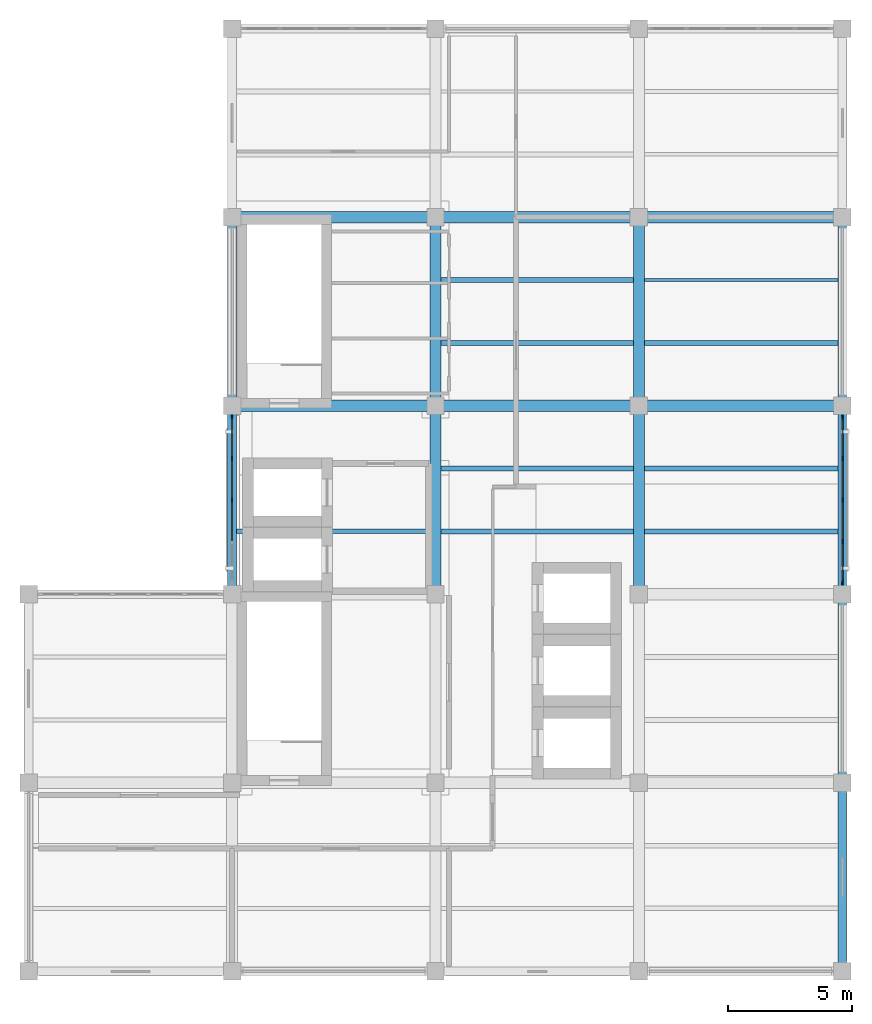
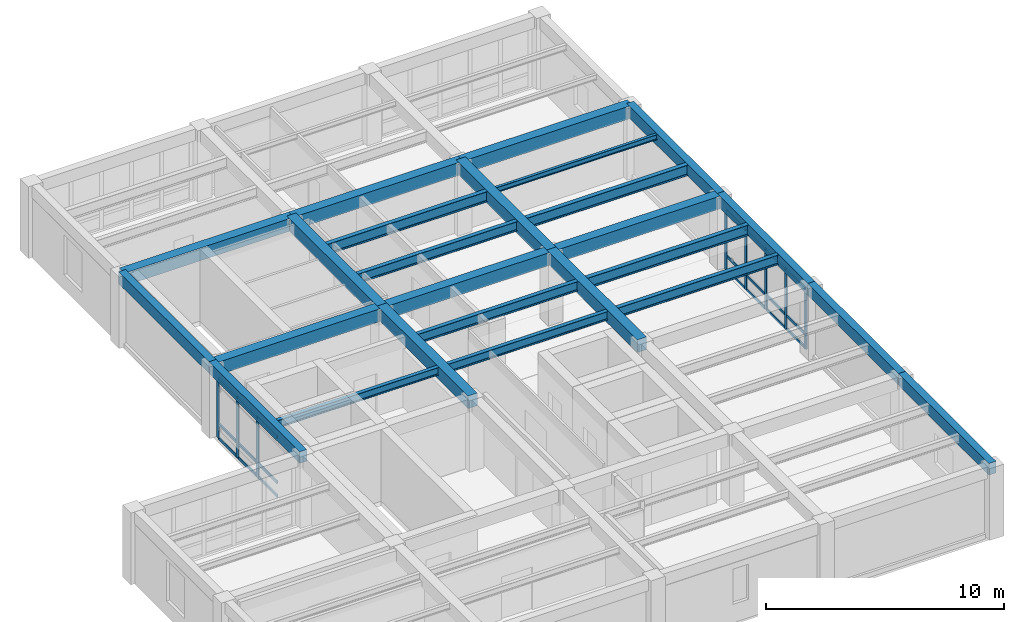
# One storey, part 3 of 8: 29 members, 25 beams, 2 elements without a shape of their own.
"""IFC4 building model written with IfcOpenShell, lengths in metres."""

from ifc_helpers import new_model, si_unit, direction, frame, origin, origin_2d, place, context, subcontext, project, spatial, rectangle, i_section, extrude, material, material_profile, profile_set, type_object, element, aggregate, save


model = new_model("IFC4")

# Units and contexts
model_context = context("Model", 3, precision=1e-05, world=origin(), true_north=direction((0.0, 1.0)))
body_context = subcontext(model_context, "Body", "Model", "MODEL_VIEW")
ifc_project = project(units=[si_unit("LENGTHUNIT", "METRE"), si_unit("AREAUNIT", "SQUARE_METRE"), si_unit("VOLUMEUNIT", "CUBIC_METRE"), si_unit("PLANEANGLEUNIT", "RADIAN"), si_unit("MASSUNIT", "GRAM", prefix="KILO")], contexts=[model_context])

# Site, building, storey
site_placement = place(None, origin())
site = spatial("IfcSite", under=ifc_project, at=site_placement, CompositionType="ELEMENT")
building_placement = place(site_placement, origin())
building = spatial("IfcBuilding", under=site, at=building_placement, Name="Qandaris Square Conservatory and Botanical Centre", CompositionType="ELEMENT")
storey_placement = place(building_placement, frame((0.0, 0.0, 70.199951171875)))
storey = spatial("IfcBuildingStorey", under=building, at=storey_placement, Name="L16", CompositionType="ELEMENT", Elevation=70.199951171875)

# Beams
ifc_material_1 = material(Name="Steel S355", Category="steel")
ifc_material_profile_1 = material_profile(ifc_material_1, i_section(OverallWidth=0.18994140625, OverallDepth=0.449951171875, WebThickness=0.009521484375, FlangeThickness=0.0146484375, FilletRadius=0.02099609375, at=origin_2d()), Name="IPE 450")
ifc_profile_set_1 = profile_set([ifc_material_profile_1], Name="Steel S355")
beam_type_1 = type_object("IfcBeamType", Name="Composite Archive Joist IPE 450", PredefinedType="JOIST", material=ifc_profile_set_1)
beam_1_placement = place(storey_placement, frame((147.625, 34.333251953125, 3.43505859375), z_axis=(1.0, 0.0, 0.0), x_axis=(0.0, 1.0, 0.0)))
element("IfcBeam", 1, at=beam_1_placement, inside=storey, type_object=beam_type_1, Name="L16 Composite Joist 3026", PredefinedType="JOIST", context=body_context, shape_type="SweptSolid", body=[
    extrude(i_section(OverallWidth=0.18994140625, OverallDepth=0.449951171875, WebThickness=0.009521484375, FlangeThickness=0.0146484375, FilletRadius=0.02099609375, at=origin_2d()), origin(), (0.0, 0.0, 1.0), 7.75),
])
ifc_material_profile_2 = material_profile(ifc_material_1, i_section(OverallWidth=0.199951171875, OverallDepth=0.5, WebThickness=0.01025390625, FlangeThickness=0.01611328125, FilletRadius=0.02099609375, at=origin_2d()), Name="IPE 500")
ifc_profile_set_2 = profile_set([ifc_material_profile_2], Name="Steel S355")
beam_type_2 = type_object("IfcBeamType", Name="Composite Gallery Joist IPE 500", PredefinedType="JOIST", material=ifc_profile_set_2)
for number, where, z_axis, x_axis, name in (
    (2, (147.625, 36.86669921875, 3.41015625), (1.0, 0.0, 0.0), (0.0, 1.0, 0.0), "L16 Composite Joist 3027"),
    (3, (147.625, 41.933349609375, 3.41015625), (1.0, 0.0, 0.0), (0.0, 1.0, 0.0), "L16 Composite Joist 3028"),
):
    element("IfcBeam", number, at=place(storey_placement, frame(where, z_axis=z_axis, x_axis=x_axis)), inside=storey, type_object=beam_type_2, Name=name, PredefinedType="JOIST", context=body_context, shape_type="SweptSolid", body=[
        extrude(i_section(OverallWidth=0.199951171875, OverallDepth=0.5, WebThickness=0.01025390625, FlangeThickness=0.01611328125, FilletRadius=0.02099609375, at=origin_2d()), origin(), (0.0, 0.0, 1.0), 7.75),
    ])
beam_2_placement = place(storey_placement, frame((155.824951171875, 34.333251953125, 3.41015625), z_axis=(1.0, 0.0, 0.0), x_axis=(0.0, 1.0, 0.0)))
element("IfcBeam", 4, at=beam_2_placement, inside=storey, type_object=beam_type_2, Name="L16 Composite Joist 3036", PredefinedType="JOIST", context=body_context, shape_type="SweptSolid", body=[
    extrude(i_section(OverallWidth=0.199951171875, OverallDepth=0.5, WebThickness=0.01025390625, FlangeThickness=0.01611328125, FilletRadius=0.02099609375, at=origin_2d()), origin(), (0.0, 0.0, 1.0), 7.800048828125),
])
ifc_material_profile_3 = material_profile(ifc_material_1, i_section(OverallWidth=0.179931640625, OverallDepth=0.39990234375, WebThickness=0.008544921875, FlangeThickness=0.013427734375, FilletRadius=0.02099609375, at=origin_2d()), Name="IPE 400")
ifc_profile_set_3 = profile_set([ifc_material_profile_3], Name="Steel S355")
beam_type_3 = type_object("IfcBeamType", Name="Composite Plinth Joist IPE 400", PredefinedType="JOIST", material=ifc_profile_set_3)
beam_3_placement = place(storey_placement, frame((139.375, 34.333251953125, 3.4599609375), z_axis=(1.0, 0.0, 0.0), x_axis=(0.0, 1.0, 0.0)))
element("IfcBeam", 5, at=beam_3_placement, inside=storey, type_object=beam_type_3, Name="L16 Composite Joist 3021", PredefinedType="JOIST", context=body_context, shape_type="SweptSolid", body=[
    extrude(i_section(OverallWidth=0.179931640625, OverallDepth=0.39990234375, WebThickness=0.008544921875, FlangeThickness=0.013427734375, FilletRadius=0.02099609375, at=origin_2d()), origin(), (0.0, 0.0, 1.0), 7.800048828125),
])

# Curtain wall, members
ifc_material_2 = material(Name="Anodised Aluminium", Category="aluminium")
curtain_wall_type = type_object("IfcCurtainWallType", Name="Unitised Curtain Wall CW-4-670x307", PredefinedType="USERDEFINED", material=ifc_material_2)
curtain_wall_1_placement = place(storey_placement, origin())
curtain_wall_1 = element("IfcCurtainWall", 6, at=curtain_wall_1_placement, inside=storey, type_object=curtain_wall_type, Name="Curtain Wall CW-TWR-L16-2-3", ObjectType="GLAZED CURTAIN WALL", PredefinedType="USERDEFINED")
ifc_material_profile_4 = material_profile(ifc_material_2, rectangle(XDim=0.06494140625, YDim=0.179931640625, at=origin_2d()), Name="ALU-MUL 65x180")
ifc_profile_set_4 = profile_set([ifc_material_profile_4], Name="Anodised Aluminium")
member_type_1 = type_object("IfcMemberType", Name="Curtain Wall Mullion 65x180", PredefinedType="MULLION", material=ifc_profile_set_4)
member_1_placement = place(storey_placement, frame((163.800048828125, 32.282470703125, 0.0), z_axis=(0.0, 0.0, 1.0), x_axis=(-1.0, 0.0, 0.0)))
member_1 = element("IfcMember", 7, at=member_1_placement, type_object=member_type_1, Name="CW-4-670x307 mullion 1", PredefinedType="MULLION", context=body_context, shape_type="SweptSolid", body=[
    extrude(rectangle(XDim=0.06494140625, YDim=0.179931640625, at=origin_2d()), origin(), (0.0, 0.0, 1.0), 3.070068359375),
])
member_2_placement = place(storey_placement, frame((163.800048828125, 33.925048828125, 0.0), z_axis=(0.0, 0.0, 1.0), x_axis=(-1.0, 0.0, 0.0)))
member_2 = element("IfcMember", 8, at=member_2_placement, type_object=member_type_1, Name="CW-4-670x307 mullion 2", PredefinedType="MULLION", context=body_context, shape_type="SweptSolid", body=[
    extrude(rectangle(XDim=0.06494140625, YDim=0.179931640625, at=origin_2d()), origin(), (0.0, 0.0, 1.0), 3.070068359375),
])
member_3_placement = place(storey_placement, frame((163.800048828125, 35.60009765625, 0.0), z_axis=(0.0, 0.0, 1.0), x_axis=(-1.0, 0.0, 0.0)))
member_3 = element("IfcMember", 9, at=member_3_placement, type_object=member_type_1, Name="CW-4-670x307 mullion 3", PredefinedType="MULLION", context=body_context, shape_type="SweptSolid", body=[
    extrude(rectangle(XDim=0.06494140625, YDim=0.179931640625, at=origin_2d()), origin(), (0.0, 0.0, 1.0), 3.070068359375),
])
member_4_placement = place(storey_placement, frame((163.800048828125, 37.27490234375, 0.0), z_axis=(0.0, 0.0, 1.0), x_axis=(-1.0, 0.0, 0.0)))
member_4 = element("IfcMember", 10, at=member_4_placement, type_object=member_type_1, Name="CW-4-670x307 mullion 4", PredefinedType="MULLION", context=body_context, shape_type="SweptSolid", body=[
    extrude(rectangle(XDim=0.06494140625, YDim=0.179931640625, at=origin_2d()), origin(), (0.0, 0.0, 1.0), 3.070068359375),
])
member_5_placement = place(storey_placement, frame((163.800048828125, 38.91748046875, 0.0), z_axis=(0.0, 0.0, 1.0), x_axis=(-1.0, 0.0, 0.0)))
member_5 = element("IfcMember", 11, at=member_5_placement, type_object=member_type_1, Name="CW-4-670x307 mullion 5", PredefinedType="MULLION", context=body_context, shape_type="SweptSolid", body=[
    extrude(rectangle(XDim=0.06494140625, YDim=0.179931640625, at=origin_2d()), origin(), (0.0, 0.0, 1.0), 3.070068359375),
])

curtain_wall_2_placement = place(storey_placement, origin())
curtain_wall_2 = element("IfcCurtainWall", 12, at=curtain_wall_2_placement, inside=storey, type_object=curtain_wall_type, Name="Curtain Wall CW-TWR-L16-4-3", ObjectType="GLAZED CURTAIN WALL", PredefinedType="USERDEFINED")
member_6_placement = place(storey_placement, frame((139.199951171875, 38.91748046875, 0.0), z_axis=(0.0, 0.0, 1.0), x_axis=(1.0, 0.0, 0.0)))
member_6 = element("IfcMember", 13, at=member_6_placement, type_object=member_type_1, Name="CW-4-670x307 mullion 1", PredefinedType="MULLION", context=body_context, shape_type="SweptSolid", body=[
    extrude(rectangle(XDim=0.06494140625, YDim=0.179931640625, at=origin_2d()), origin(), (0.0, 0.0, 1.0), 3.070068359375),
])
member_7_placement = place(storey_placement, frame((139.199951171875, 37.27490234375, 0.0), z_axis=(0.0, 0.0, 1.0), x_axis=(1.0, 0.0, 0.0)))
member_7 = element("IfcMember", 14, at=member_7_placement, type_object=member_type_1, Name="CW-4-670x307 mullion 2", PredefinedType="MULLION", context=body_context, shape_type="SweptSolid", body=[
    extrude(rectangle(XDim=0.06494140625, YDim=0.179931640625, at=origin_2d()), origin(), (0.0, 0.0, 1.0), 3.070068359375),
])
member_8_placement = place(storey_placement, frame((139.199951171875, 35.60009765625, 0.0), z_axis=(0.0, 0.0, 1.0), x_axis=(1.0, 0.0, 0.0)))
member_8 = element("IfcMember", 15, at=member_8_placement, type_object=member_type_1, Name="CW-4-670x307 mullion 3", PredefinedType="MULLION", context=body_context, shape_type="SweptSolid", body=[
    extrude(rectangle(XDim=0.06494140625, YDim=0.179931640625, at=origin_2d()), origin(), (0.0, 0.0, 1.0), 3.070068359375),
])

# Member
ifc_material_profile_5 = material_profile(ifc_material_2, rectangle(XDim=0.06494140625, YDim=0.139892578125, at=origin_2d()), Name="ALU-TRN 65x140")
ifc_profile_set_5 = profile_set([ifc_material_profile_5], Name="Anodised Aluminium")
member_type_2 = type_object("IfcMemberType", Name="Curtain Wall Transom 65x140", PredefinedType="USERDEFINED", material=ifc_profile_set_5)
member_9_placement = place(storey_placement, frame((163.800048828125, 32.31494140625, 0.032470703125), z_axis=(0.0, 1.0, 0.0), x_axis=(-1.0, 0.0, 0.0)))
member_9 = element("IfcMember", 16, at=member_9_placement, type_object=member_type_2, Name="CW-4-670x307 transom 1.1", ObjectType="TRANSOM", PredefinedType="USERDEFINED", context=body_context, shape_type="SweptSolid", body=[
    extrude(rectangle(XDim=0.06494140625, YDim=0.139892578125, at=origin_2d()), origin(), (0.0, 0.0, 1.0), 1.57763671875),
])

member_10_placement = place(storey_placement, frame((163.800048828125, 32.31494140625, 0.73681640625), z_axis=(0.0, 1.0, 0.0), x_axis=(-1.0, 0.0, 0.0)))
member_10 = element("IfcMember", 17, at=member_10_placement, type_object=member_type_2, Name="CW-4-670x307 transom 1.2", ObjectType="TRANSOM", PredefinedType="USERDEFINED", context=body_context, shape_type="SweptSolid", body=[
    extrude(rectangle(XDim=0.06494140625, YDim=0.139892578125, at=origin_2d()), origin(), (0.0, 0.0, 1.0), 1.57763671875),
])

member_11_placement = place(storey_placement, frame((163.800048828125, 32.31494140625, 3.03759765625), z_axis=(0.0, 1.0, 0.0), x_axis=(-1.0, 0.0, 0.0)))
member_11 = element("IfcMember", 18, at=member_11_placement, type_object=member_type_2, Name="CW-4-670x307 transom 1.3", ObjectType="TRANSOM", PredefinedType="USERDEFINED", context=body_context, shape_type="SweptSolid", body=[
    extrude(rectangle(XDim=0.06494140625, YDim=0.139892578125, at=origin_2d()), origin(), (0.0, 0.0, 1.0), 1.57763671875),
])

member_12_placement = place(storey_placement, frame((163.800048828125, 33.95751953125, 0.032470703125), z_axis=(0.0, 1.0, 0.0), x_axis=(-1.0, 0.0, 0.0)))
member_12 = element("IfcMember", 19, at=member_12_placement, type_object=member_type_2, Name="CW-4-670x307 transom 2.1", ObjectType="TRANSOM", PredefinedType="USERDEFINED", context=body_context, shape_type="SweptSolid", body=[
    extrude(rectangle(XDim=0.06494140625, YDim=0.139892578125, at=origin_2d()), origin(), (0.0, 0.0, 1.0), 1.60986328125),
])

member_13_placement = place(storey_placement, frame((163.800048828125, 33.95751953125, 0.73681640625), z_axis=(0.0, 1.0, 0.0), x_axis=(-1.0, 0.0, 0.0)))
member_13 = element("IfcMember", 20, at=member_13_placement, type_object=member_type_2, Name="CW-4-670x307 transom 2.2", ObjectType="TRANSOM", PredefinedType="USERDEFINED", context=body_context, shape_type="SweptSolid", body=[
    extrude(rectangle(XDim=0.06494140625, YDim=0.139892578125, at=origin_2d()), origin(), (0.0, 0.0, 1.0), 1.60986328125),
])

member_14_placement = place(storey_placement, frame((163.800048828125, 33.95751953125, 3.03759765625), z_axis=(0.0, 1.0, 0.0), x_axis=(-1.0, 0.0, 0.0)))
member_14 = element("IfcMember", 21, at=member_14_placement, type_object=member_type_2, Name="CW-4-670x307 transom 2.3", ObjectType="TRANSOM", PredefinedType="USERDEFINED", context=body_context, shape_type="SweptSolid", body=[
    extrude(rectangle(XDim=0.06494140625, YDim=0.139892578125, at=origin_2d()), origin(), (0.0, 0.0, 1.0), 1.60986328125),
])

member_15_placement = place(storey_placement, frame((163.800048828125, 35.632568359375, 0.032470703125), z_axis=(0.0, 1.0, 0.0), x_axis=(-1.0, 0.0, 0.0)))
member_15 = element("IfcMember", 22, at=member_15_placement, type_object=member_type_2, Name="CW-4-670x307 transom 3.1", ObjectType="TRANSOM", PredefinedType="USERDEFINED", context=body_context, shape_type="SweptSolid", body=[
    extrude(rectangle(XDim=0.06494140625, YDim=0.139892578125, at=origin_2d()), origin(), (0.0, 0.0, 1.0), 1.60986328125),
])

member_16_placement = place(storey_placement, frame((163.800048828125, 35.632568359375, 0.73681640625), z_axis=(0.0, 1.0, 0.0), x_axis=(-1.0, 0.0, 0.0)))
member_16 = element("IfcMember", 23, at=member_16_placement, type_object=member_type_2, Name="CW-4-670x307 transom 3.2", ObjectType="TRANSOM", PredefinedType="USERDEFINED", context=body_context, shape_type="SweptSolid", body=[
    extrude(rectangle(XDim=0.06494140625, YDim=0.139892578125, at=origin_2d()), origin(), (0.0, 0.0, 1.0), 1.60986328125),
])

member_17_placement = place(storey_placement, frame((163.800048828125, 35.632568359375, 3.03759765625), z_axis=(0.0, 1.0, 0.0), x_axis=(-1.0, 0.0, 0.0)))
member_17 = element("IfcMember", 24, at=member_17_placement, type_object=member_type_2, Name="CW-4-670x307 transom 3.3", ObjectType="TRANSOM", PredefinedType="USERDEFINED", context=body_context, shape_type="SweptSolid", body=[
    extrude(rectangle(XDim=0.06494140625, YDim=0.139892578125, at=origin_2d()), origin(), (0.0, 0.0, 1.0), 1.60986328125),
])

member_18_placement = place(storey_placement, frame((163.800048828125, 37.3076171875, 0.032470703125), z_axis=(0.0, 1.0, 0.0), x_axis=(-1.0, 0.0, 0.0)))
member_18 = element("IfcMember", 25, at=member_18_placement, type_object=member_type_2, Name="CW-4-670x307 transom 4.1", ObjectType="TRANSOM", PredefinedType="USERDEFINED", context=body_context, shape_type="SweptSolid", body=[
    extrude(rectangle(XDim=0.06494140625, YDim=0.139892578125, at=origin_2d()), origin(), (0.0, 0.0, 1.0), 1.577392578125),
])

member_19_placement = place(storey_placement, frame((163.800048828125, 37.3076171875, 0.73681640625), z_axis=(0.0, 1.0, 0.0), x_axis=(-1.0, 0.0, 0.0)))
member_19 = element("IfcMember", 26, at=member_19_placement, type_object=member_type_2, Name="CW-4-670x307 transom 4.2", ObjectType="TRANSOM", PredefinedType="USERDEFINED", context=body_context, shape_type="SweptSolid", body=[
    extrude(rectangle(XDim=0.06494140625, YDim=0.139892578125, at=origin_2d()), origin(), (0.0, 0.0, 1.0), 1.577392578125),
])

member_20_placement = place(storey_placement, frame((163.800048828125, 37.3076171875, 3.03759765625), z_axis=(0.0, 1.0, 0.0), x_axis=(-1.0, 0.0, 0.0)))
member_20 = element("IfcMember", 27, at=member_20_placement, type_object=member_type_2, Name="CW-4-670x307 transom 4.3", ObjectType="TRANSOM", PredefinedType="USERDEFINED", context=body_context, shape_type="SweptSolid", body=[
    extrude(rectangle(XDim=0.06494140625, YDim=0.139892578125, at=origin_2d()), origin(), (0.0, 0.0, 1.0), 1.577392578125),
])

aggregate(curtain_wall_1, [member_1, member_2, member_3, member_4, member_5, member_9, member_10, member_11, member_12, member_13, member_14, member_15, member_16, member_17, member_18, member_19, member_20])

member_21_placement = place(storey_placement, frame((139.199951171875, 38.885009765625, 0.032470703125), z_axis=(0.0, -1.0, 0.0), x_axis=(1.0, 0.0, 0.0)))
member_21 = element("IfcMember", 28, at=member_21_placement, type_object=member_type_2, Name="CW-4-670x307 transom 1.1", ObjectType="TRANSOM", PredefinedType="USERDEFINED", context=body_context, shape_type="SweptSolid", body=[
    extrude(rectangle(XDim=0.06494140625, YDim=0.139892578125, at=origin_2d()), origin(), (0.0, 0.0, 1.0), 1.577392578125),
])

member_22_placement = place(storey_placement, frame((139.199951171875, 38.885009765625, 0.73681640625), z_axis=(0.0, -1.0, 0.0), x_axis=(1.0, 0.0, 0.0)))
member_22 = element("IfcMember", 29, at=member_22_placement, type_object=member_type_2, Name="CW-4-670x307 transom 1.2", ObjectType="TRANSOM", PredefinedType="USERDEFINED", context=body_context, shape_type="SweptSolid", body=[
    extrude(rectangle(XDim=0.06494140625, YDim=0.139892578125, at=origin_2d()), origin(), (0.0, 0.0, 1.0), 1.577392578125),
])

member_23_placement = place(storey_placement, frame((139.199951171875, 38.885009765625, 3.03759765625), z_axis=(0.0, -1.0, 0.0), x_axis=(1.0, 0.0, 0.0)))
member_23 = element("IfcMember", 30, at=member_23_placement, type_object=member_type_2, Name="CW-4-670x307 transom 1.3", ObjectType="TRANSOM", PredefinedType="USERDEFINED", context=body_context, shape_type="SweptSolid", body=[
    extrude(rectangle(XDim=0.06494140625, YDim=0.139892578125, at=origin_2d()), origin(), (0.0, 0.0, 1.0), 1.577392578125),
])

member_24_placement = place(storey_placement, frame((139.199951171875, 37.242431640625, 0.032470703125), z_axis=(0.0, -1.0, 0.0), x_axis=(1.0, 0.0, 0.0)))
member_24 = element("IfcMember", 31, at=member_24_placement, type_object=member_type_2, Name="CW-4-670x307 transom 2.1", ObjectType="TRANSOM", PredefinedType="USERDEFINED", context=body_context, shape_type="SweptSolid", body=[
    extrude(rectangle(XDim=0.06494140625, YDim=0.139892578125, at=origin_2d()), origin(), (0.0, 0.0, 1.0), 1.60986328125),
])

member_25_placement = place(storey_placement, frame((139.199951171875, 37.242431640625, 0.73681640625), z_axis=(0.0, -1.0, 0.0), x_axis=(1.0, 0.0, 0.0)))
member_25 = element("IfcMember", 32, at=member_25_placement, type_object=member_type_2, Name="CW-4-670x307 transom 2.2", ObjectType="TRANSOM", PredefinedType="USERDEFINED", context=body_context, shape_type="SweptSolid", body=[
    extrude(rectangle(XDim=0.06494140625, YDim=0.139892578125, at=origin_2d()), origin(), (0.0, 0.0, 1.0), 1.60986328125),
])

member_26_placement = place(storey_placement, frame((139.199951171875, 37.242431640625, 3.03759765625), z_axis=(0.0, -1.0, 0.0), x_axis=(1.0, 0.0, 0.0)))
member_26 = element("IfcMember", 33, at=member_26_placement, type_object=member_type_2, Name="CW-4-670x307 transom 2.3", ObjectType="TRANSOM", PredefinedType="USERDEFINED", context=body_context, shape_type="SweptSolid", body=[
    extrude(rectangle(XDim=0.06494140625, YDim=0.139892578125, at=origin_2d()), origin(), (0.0, 0.0, 1.0), 1.60986328125),
])

member_27_placement = place(storey_placement, frame((139.199951171875, 35.5673828125, 0.032470703125), z_axis=(0.0, -1.0, 0.0), x_axis=(1.0, 0.0, 0.0)))
member_27 = element("IfcMember", 34, at=member_27_placement, type_object=member_type_2, Name="CW-4-670x307 transom 3.1", ObjectType="TRANSOM", PredefinedType="USERDEFINED", context=body_context, shape_type="SweptSolid", body=[
    extrude(rectangle(XDim=0.06494140625, YDim=0.139892578125, at=origin_2d()), origin(), (0.0, 0.0, 1.0), 1.60986328125),
])

member_28_placement = place(storey_placement, frame((139.199951171875, 35.5673828125, 0.73681640625), z_axis=(0.0, -1.0, 0.0), x_axis=(1.0, 0.0, 0.0)))
member_28 = element("IfcMember", 35, at=member_28_placement, type_object=member_type_2, Name="CW-4-670x307 transom 3.2", ObjectType="TRANSOM", PredefinedType="USERDEFINED", context=body_context, shape_type="SweptSolid", body=[
    extrude(rectangle(XDim=0.06494140625, YDim=0.139892578125, at=origin_2d()), origin(), (0.0, 0.0, 1.0), 1.60986328125),
])

member_29_placement = place(storey_placement, frame((139.199951171875, 35.5673828125, 3.03759765625), z_axis=(0.0, -1.0, 0.0), x_axis=(1.0, 0.0, 0.0)))
member_29 = element("IfcMember", 36, at=member_29_placement, type_object=member_type_2, Name="CW-4-670x307 transom 3.3", ObjectType="TRANSOM", PredefinedType="USERDEFINED", context=body_context, shape_type="SweptSolid", body=[
    extrude(rectangle(XDim=0.06494140625, YDim=0.139892578125, at=origin_2d()), origin(), (0.0, 0.0, 1.0), 1.60986328125),
])

aggregate(curtain_wall_2, [member_6, member_7, member_8, member_21, member_22, member_23, member_24, member_25, member_26, member_27, member_28, member_29])

# Beams
ifc_material_profile_6 = material_profile(ifc_material_1, i_section(OverallWidth=0.2099609375, OverallDepth=0.550048828125, WebThickness=0.010986328125, FlangeThickness=0.01708984375, FilletRadius=0.02392578125, at=origin_2d()), Name="IPE 550")
ifc_profile_set_6 = profile_set([ifc_material_profile_6], Name="Steel S355")
beam_type_4 = type_object("IfcBeamType", Name="Long-Span Foyer Joist IPE 550", PredefinedType="JOIST", material=ifc_profile_set_6)
beam_4_placement = place(storey_placement, frame((147.625, 44.466796875, 3.385009765625), z_axis=(1.0, 0.0, 0.0), x_axis=(0.0, 1.0, 0.0)))
element("IfcBeam", 37, at=beam_4_placement, inside=storey, type_object=beam_type_4, Name="L16 Composite Joist 3029", PredefinedType="JOIST", context=body_context, shape_type="SweptSolid", body=[
    extrude(i_section(OverallWidth=0.2099609375, OverallDepth=0.550048828125, WebThickness=0.010986328125, FlangeThickness=0.01708984375, FilletRadius=0.02392578125, at=origin_2d()), origin(), (0.0, 0.0, 1.0), 7.75),
])
for number, where, z_axis, x_axis, name in (
    (38, (155.824951171875, 36.86669921875, 3.385009765625), (1.0, 0.0, 0.0), (0.0, 1.0, 0.0), "L16 Composite Joist 3037"),
    (39, (155.824951171875, 41.933349609375, 3.385009765625), (1.0, 0.0, 0.0), (0.0, 1.0, 0.0), "L16 Composite Joist 3038"),
):
    element("IfcBeam", number, at=place(storey_placement, frame(where, z_axis=z_axis, x_axis=x_axis)), inside=storey, type_object=beam_type_4, Name=name, PredefinedType="JOIST", context=body_context, shape_type="SweptSolid", body=[
        extrude(i_section(OverallWidth=0.2099609375, OverallDepth=0.550048828125, WebThickness=0.010986328125, FlangeThickness=0.01708984375, FilletRadius=0.02392578125, at=origin_2d()), origin(), (0.0, 0.0, 1.0), 7.800048828125),
    ])
ifc_material_3 = material(Name="Concrete C50/60", Category="concrete")
ifc_material_profile_7 = material_profile(ifc_material_3, rectangle(XDim=0.35009765625, YDim=0.60009765625, at=origin_2d()), Name="RC-SP 350x600")
ifc_profile_set_7 = profile_set([ifc_material_profile_7], Name="Concrete C50/60")
beam_type_5 = type_object("IfcBeamType", Name="RC Edge Spandrel Beam 350x600", PredefinedType="SPANDREL", material=ifc_profile_set_7)
beam_5_placement = place(storey_placement, frame((139.199951171875, 31.800048828125, 3.3701171875), z_axis=(0.0, 1.0, 0.0), x_axis=(-1.0, 0.0, 0.0)))
element("IfcBeam", 40, at=beam_5_placement, inside=storey, type_object=beam_type_5, Name="L16 Frame Beam 2997", PredefinedType="SPANDREL", context=body_context, shape_type="SweptSolid", body=[
    extrude(rectangle(XDim=0.35009765625, YDim=0.60009765625, at=origin_2d()), origin(), (0.0, 0.0, 1.0), 7.599853515625),
])
beam_6_placement = place(storey_placement, frame((139.199951171875, 39.39990234375, 3.3701171875), z_axis=(0.0, 1.0, 0.0), x_axis=(-1.0, 0.0, 0.0)))
element("IfcBeam", 41, at=beam_6_placement, inside=storey, type_object=beam_type_5, Name="L16 Frame Beam 2998", PredefinedType="SPANDREL", context=body_context, shape_type="SweptSolid", body=[
    extrude(rectangle(XDim=0.35009765625, YDim=0.60009765625, at=origin_2d()), origin(), (0.0, 0.0, 1.0), 7.60009765625),
])
beam_7_placement = place(storey_placement, frame((163.800048828125, 16.60009765625, 3.3701171875), z_axis=(0.0, 1.0, 0.0), x_axis=(-1.0, 0.0, 0.0)))
element("IfcBeam", 42, at=beam_7_placement, inside=storey, type_object=beam_type_5, Name="L16 Frame Beam 3010", PredefinedType="SPANDREL", context=body_context, shape_type="SweptSolid", body=[
    extrude(rectangle(XDim=0.35009765625, YDim=0.60009765625, at=origin_2d()), origin(), (0.0, 0.0, 1.0), 7.599853515625),
])
beam_8_placement = place(storey_placement, frame((163.800048828125, 24.199951171875, 3.3701171875), z_axis=(0.0, 1.0, 0.0), x_axis=(-1.0, 0.0, 0.0)))
element("IfcBeam", 43, at=beam_8_placement, inside=storey, type_object=beam_type_5, Name="L16 Frame Beam 3011", PredefinedType="SPANDREL", context=body_context, shape_type="SweptSolid", body=[
    extrude(rectangle(XDim=0.35009765625, YDim=0.60009765625, at=origin_2d()), origin(), (0.0, 0.0, 1.0), 7.60009765625),
])
beam_9_placement = place(storey_placement, frame((163.800048828125, 31.800048828125, 3.3701171875), z_axis=(0.0, 1.0, 0.0), x_axis=(-1.0, 0.0, 0.0)))
element("IfcBeam", 44, at=beam_9_placement, inside=storey, type_object=beam_type_5, Name="L16 Frame Beam 3012", PredefinedType="SPANDREL", context=body_context, shape_type="SweptSolid", body=[
    extrude(rectangle(XDim=0.35009765625, YDim=0.60009765625, at=origin_2d()), origin(), (0.0, 0.0, 1.0), 7.599853515625),
])
beam_10_placement = place(storey_placement, frame((163.800048828125, 39.39990234375, 3.3701171875), z_axis=(0.0, 1.0, 0.0), x_axis=(-1.0, 0.0, 0.0)))
element("IfcBeam", 45, at=beam_10_placement, inside=storey, type_object=beam_type_5, Name="L16 Frame Beam 3013", PredefinedType="SPANDREL", context=body_context, shape_type="SweptSolid", body=[
    extrude(rectangle(XDim=0.35009765625, YDim=0.60009765625, at=origin_2d()), origin(), (0.0, 0.0, 1.0), 7.60009765625),
])
ifc_material_profile_8 = material_profile(ifc_material_3, rectangle(XDim=0.449951171875, YDim=0.64990234375, at=origin_2d()), Name="RC-BM 450x650")
ifc_profile_set_8 = profile_set([ifc_material_profile_8], Name="Concrete C50/60")
beam_type_6 = type_object("IfcBeamType", Name="RC Floor Girder 450x650", PredefinedType="BEAM", material=ifc_profile_set_8)
beam_11_placement = place(storey_placement, frame((139.199951171875, 39.39990234375, 3.344970703125), z_axis=(1.0, 0.0, 0.0), x_axis=(0.0, 1.0, 0.0)))
element("IfcBeam", 46, at=beam_11_placement, inside=storey, type_object=beam_type_6, Name="L16 Frame Beam 2984", PredefinedType="BEAM", context=body_context, shape_type="SweptSolid", body=[
    extrude(rectangle(XDim=0.449951171875, YDim=0.64990234375, at=origin_2d()), origin(), (0.0, 0.0, 1.0), 8.199951171875),
])
beam_12_placement = place(storey_placement, frame((147.39990234375, 39.39990234375, 3.344970703125), z_axis=(1.0, 0.0, 0.0), x_axis=(0.0, 1.0, 0.0)))
element("IfcBeam", 47, at=beam_12_placement, inside=storey, type_object=beam_type_6, Name="L16 Frame Beam 2985", PredefinedType="BEAM", context=body_context, shape_type="SweptSolid", body=[
    extrude(rectangle(XDim=0.449951171875, YDim=0.64990234375, at=origin_2d()), origin(), (0.0, 0.0, 1.0), 8.2001953125),
])
for number, where, z_axis, x_axis, name in (
    (48, (155.60009765625, 39.39990234375, 3.344970703125), (1.0, 0.0, 0.0), (0.0, 1.0, 0.0), "L16 Frame Beam 2986"),
    (49, (139.199951171875, 47.0, 3.344970703125), (1.0, 0.0, 0.0), (0.0, 1.0, 0.0), "L16 Frame Beam 2987"),
):
    element("IfcBeam", number, at=place(storey_placement, frame(where, z_axis=z_axis, x_axis=x_axis)), inside=storey, type_object=beam_type_6, Name=name, PredefinedType="BEAM", context=body_context, shape_type="SweptSolid", body=[
        extrude(rectangle(XDim=0.449951171875, YDim=0.64990234375, at=origin_2d()), origin(), (0.0, 0.0, 1.0), 8.199951171875),
    ])
beam_13_placement = place(storey_placement, frame((147.39990234375, 47.0, 3.344970703125), z_axis=(1.0, 0.0, 0.0), x_axis=(0.0, 1.0, 0.0)))
element("IfcBeam", 50, at=beam_13_placement, inside=storey, type_object=beam_type_6, Name="L16 Frame Beam 2988", PredefinedType="BEAM", context=body_context, shape_type="SweptSolid", body=[
    extrude(rectangle(XDim=0.449951171875, YDim=0.64990234375, at=origin_2d()), origin(), (0.0, 0.0, 1.0), 8.2001953125),
])
beam_14_placement = place(storey_placement, frame((155.60009765625, 47.0, 3.344970703125), z_axis=(1.0, 0.0, 0.0), x_axis=(0.0, 1.0, 0.0)))
element("IfcBeam", 51, at=beam_14_placement, inside=storey, type_object=beam_type_6, Name="L16 Frame Beam 2989", PredefinedType="BEAM", context=body_context, shape_type="SweptSolid", body=[
    extrude(rectangle(XDim=0.449951171875, YDim=0.64990234375, at=origin_2d()), origin(), (0.0, 0.0, 1.0), 8.199951171875),
])
beam_15_placement = place(storey_placement, frame((147.39990234375, 31.800048828125, 3.344970703125), z_axis=(0.0, 1.0, 0.0), x_axis=(-1.0, 0.0, 0.0)))
element("IfcBeam", 52, at=beam_15_placement, inside=storey, type_object=beam_type_6, Name="L16 Frame Beam 3002", PredefinedType="BEAM", context=body_context, shape_type="SweptSolid", body=[
    extrude(rectangle(XDim=0.449951171875, YDim=0.64990234375, at=origin_2d()), origin(), (0.0, 0.0, 1.0), 7.599853515625),
])
beam_16_placement = place(storey_placement, frame((147.39990234375, 39.39990234375, 3.344970703125), z_axis=(0.0, 1.0, 0.0), x_axis=(-1.0, 0.0, 0.0)))
element("IfcBeam", 53, at=beam_16_placement, inside=storey, type_object=beam_type_6, Name="L16 Frame Beam 3003", PredefinedType="BEAM", context=body_context, shape_type="SweptSolid", body=[
    extrude(rectangle(XDim=0.449951171875, YDim=0.64990234375, at=origin_2d()), origin(), (0.0, 0.0, 1.0), 7.60009765625),
])
beam_17_placement = place(storey_placement, frame((155.60009765625, 31.800048828125, 3.344970703125), z_axis=(0.0, 1.0, 0.0), x_axis=(-1.0, 0.0, 0.0)))
element("IfcBeam", 54, at=beam_17_placement, inside=storey, type_object=beam_type_6, Name="L16 Frame Beam 3007", PredefinedType="BEAM", context=body_context, shape_type="SweptSolid", body=[
    extrude(rectangle(XDim=0.449951171875, YDim=0.64990234375, at=origin_2d()), origin(), (0.0, 0.0, 1.0), 7.599853515625),
])
beam_18_placement = place(storey_placement, frame((155.60009765625, 39.39990234375, 3.344970703125), z_axis=(0.0, 1.0, 0.0), x_axis=(-1.0, 0.0, 0.0)))
element("IfcBeam", 55, at=beam_18_placement, inside=storey, type_object=beam_type_6, Name="L16 Frame Beam 3008", PredefinedType="BEAM", context=body_context, shape_type="SweptSolid", body=[
    extrude(rectangle(XDim=0.449951171875, YDim=0.64990234375, at=origin_2d()), origin(), (0.0, 0.0, 1.0), 7.60009765625),
])
ifc_material_profile_9 = material_profile(ifc_material_1, i_section(OverallWidth=0.135009765625, OverallDepth=0.27001953125, WebThickness=0.006591796875, FlangeThickness=0.01025390625, FilletRadius=0.014892578125, at=origin_2d()), Name="IPE 270")
ifc_profile_set_9 = profile_set([ifc_material_profile_9], Name="Steel S355")
beam_type_7 = type_object("IfcBeamType", Name="Steel Floor Joist IPE 270", PredefinedType="JOIST", material=ifc_profile_set_9)
beam_19_placement = place(storey_placement, frame((155.824951171875, 44.466796875, 3.525146484375), z_axis=(1.0, 0.0, 0.0), x_axis=(0.0, 1.0, 0.0)))
element("IfcBeam", 56, at=beam_19_placement, inside=storey, type_object=beam_type_7, Name="L16 Composite Joist 3039", PredefinedType="JOIST", context=body_context, shape_type="SweptSolid", body=[
    extrude(i_section(OverallWidth=0.135009765625, OverallDepth=0.27001953125, WebThickness=0.006591796875, FlangeThickness=0.01025390625, FilletRadius=0.014892578125, at=origin_2d()), origin(), (0.0, 0.0, 1.0), 7.800048828125),
])

save(model, "model.ifc")
